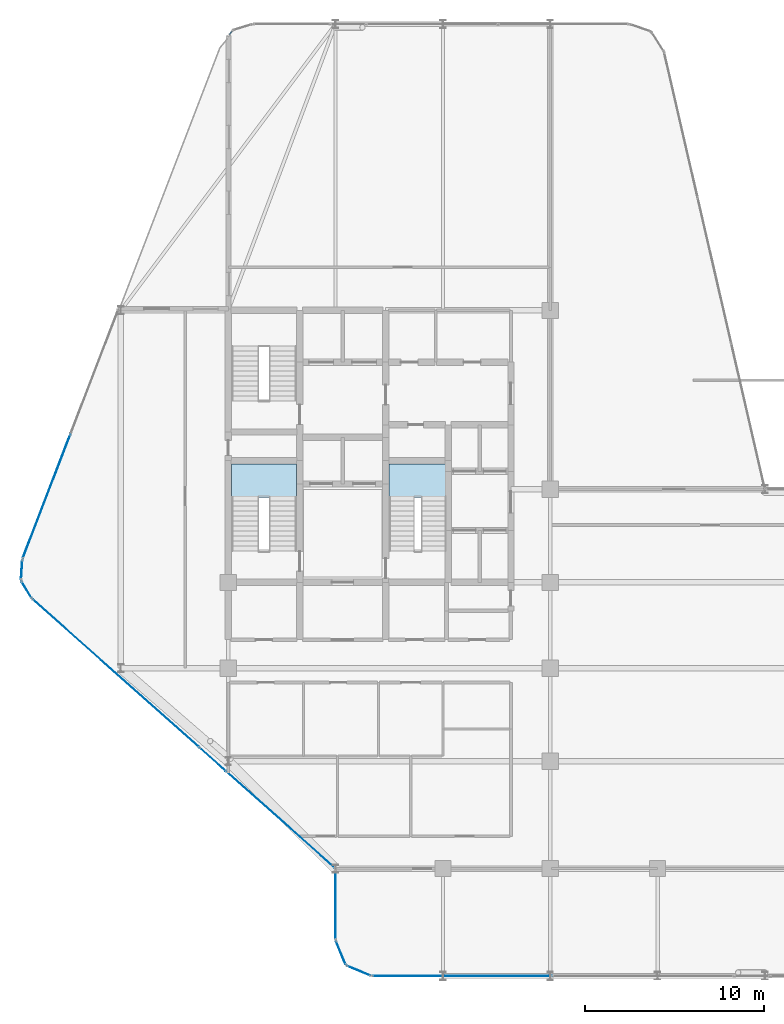
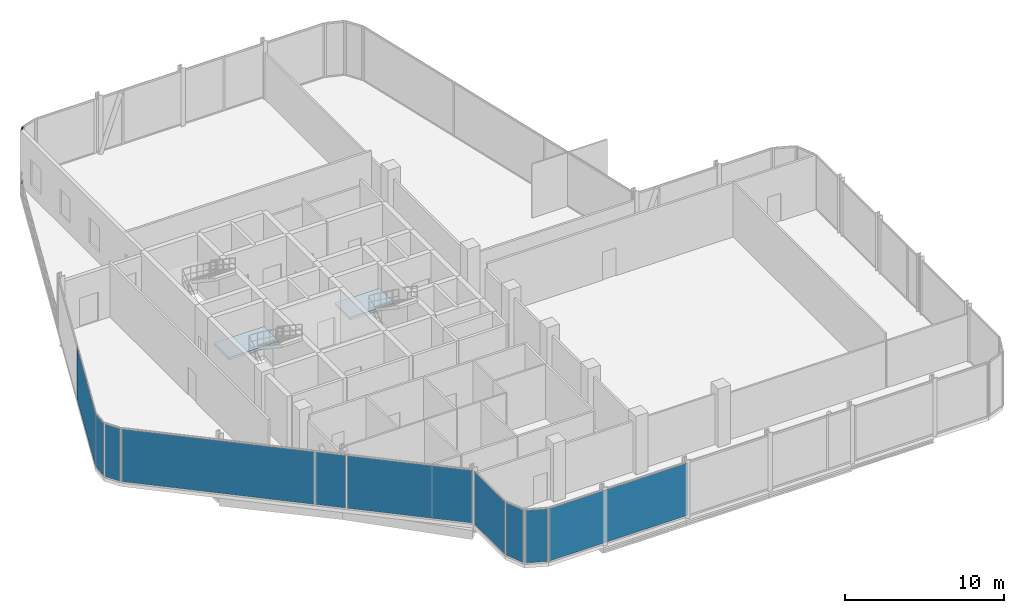
# One storey, part 24 of 31: 10 plates, 2 members, 2 slabs, 13 elements without a shape of their own.
"""IFC4 building model written with IfcOpenShell, lengths in metres."""

from ifc_helpers import new_model, si_unit, direction, frame, origin, origin_2d, place, context, subcontext, project, spatial, polyline, rectangle, hollow_rectangle, outline, extrude, material, layer, layer_set, material_profile, profile_set, type_object, element, aggregate, save


model = new_model("IFC4")

# Units and contexts
model_context = context("Model", 3, precision=1e-05, world=origin(), true_north=direction((0.0, 1.0)))
body_context = subcontext(model_context, "Body", "Model", "MODEL_VIEW")
ifc_project = project(units=[si_unit("LENGTHUNIT", "METRE"), si_unit("AREAUNIT", "SQUARE_METRE"), si_unit("VOLUMEUNIT", "CUBIC_METRE"), si_unit("PLANEANGLEUNIT", "RADIAN"), si_unit("MASSUNIT", "GRAM", prefix="KILO")], contexts=[model_context])

# Site, building, storey
site_placement = place(None, origin())
site = spatial("IfcSite", under=ifc_project, at=site_placement, CompositionType="ELEMENT")
building_placement = place(site_placement, origin())
building = spatial("IfcBuilding", under=site, at=building_placement, Name="Keshet Zoharim Tower", CompositionType="ELEMENT")
storey_placement = place(building_placement, frame((0.0, 0.0, 183.89990234375)))
storey = spatial("IfcBuildingStorey", under=building, at=storey_placement, Name="L45", CompositionType="ELEMENT", Elevation=183.89990234375)

# Curtain wall, members
ifc_material_1 = material(Name="Aluminium 6063-T6", Category="aluminium")
ifc_layer_1 = layer(ifc_material_1, 0.139892578125)
ifc_layer_set_1 = layer_set([ifc_layer_1], Name="Aluminium 6063-T6")
curtain_wall_type = type_object("IfcCurtainWallType", Name="CW-SYS-05", PredefinedType="NOTDEFINED", material=ifc_layer_set_1)
curtain_wall_1_placement = place(storey_placement, origin())
curtain_wall_1 = element("IfcCurtainWall", 1, at=curtain_wall_1_placement, inside=storey, type_object=curtain_wall_type, Name="L45 Unitised Curtain Wall 19", PredefinedType="NOTDEFINED")
ifc_material_profile = material_profile(ifc_material_1, hollow_rectangle(XDim=0.074951171875, YDim=0.1201171875, WallThickness=0.00390625, at=origin_2d()), Name="TRN-75x120")
ifc_profile_set = profile_set([ifc_material_profile], Name="Aluminium 6063-T6")
member_type = type_object("IfcMemberType", Name="CWT-T12", PredefinedType="USERDEFINED", material=ifc_profile_set)
member_1_placement = place(storey_placement, frame((15.062255859375, 53.311767578125, 0.03515625), z_axis=(0.601203878616, 0.799095674082, 0.0), x_axis=(-0.799095674082, 0.601203878616, 0.0)))
member_1 = element("IfcMember", 2, at=member_1_placement, type_object=member_type, Name="CW-05 transom 1.1", ObjectType="TRANSOM", PredefinedType="USERDEFINED", context=body_context, shape_type="SweptSolid", body=[
    extrude(hollow_rectangle(XDim=0.074951171875, YDim=0.1201171875, WallThickness=0.00390625, at=origin_2d()), origin(), (0.0, 0.0, 1.0), 0.22705078125),
])
member_2_placement = place(storey_placement, frame((15.062255859375, 53.311767578125, 4.155029296875), z_axis=(0.601203878616, 0.799095674082, 0.0), x_axis=(-0.799095674082, 0.601203878616, 0.0)))
member_2 = element("IfcMember", 3, at=member_2_placement, type_object=member_type, Name="CW-05 transom 1.2", ObjectType="TRANSOM", PredefinedType="USERDEFINED", context=body_context, shape_type="SweptSolid", body=[
    extrude(hollow_rectangle(XDim=0.074951171875, YDim=0.1201171875, WallThickness=0.00390625, at=origin_2d()), origin(), (0.0, 0.0, 1.0), 0.22705078125),
])
aggregate(curtain_wall_1, [member_1, member_2])

# Curtain wall, plate
curtain_wall_2_placement = place(storey_placement, origin())
curtain_wall_2 = element("IfcCurtainWall", 4, at=curtain_wall_2_placement, inside=storey, type_object=curtain_wall_type, Name="L45 Unitised Curtain Wall 11 Part 3", PredefinedType="NOTDEFINED")
ifc_material_2 = material(Name="Insulated Low-E Clear Glass", Category="glass")
ifc_layer_2 = layer(ifc_material_2, 0.031982421875)
ifc_layer_set_2 = layer_set([ifc_layer_2], Name="Insulated Low-E Clear Glass")
plate_type_1 = type_object("IfcPlateType", Name="CWP-02", PredefinedType="CURTAIN_PANEL", material=ifc_layer_set_2)
plate_1_placement = place(storey_placement, frame((28.079345703125, 0.699951171875, 0.0703125), z_axis=(0.0, 0.0, 1.0), x_axis=(-1.0, 0.0, 0.0)))
plate_1 = element("IfcPlate", 5, at=plate_1_placement, type_object=plate_type_1, Name="CW-05 panel 2.1", PredefinedType="CURTAIN_PANEL", context=body_context, shape_type="SweptSolid", body=[
    extrude(rectangle(XDim=10.018798828125, YDim=0.031982421875, at=origin_2d()), origin(), (0.0, 0.0, 1.0), 4.050048828125),
])
aggregate(curtain_wall_2, [plate_1])

curtain_wall_3_placement = place(storey_placement, origin())
curtain_wall_3 = element("IfcCurtainWall", 6, at=curtain_wall_3_placement, inside=storey, type_object=curtain_wall_type, Name="L45 Unitised Curtain Wall 12", PredefinedType="NOTDEFINED")
plate_2_placement = place(storey_placement, frame((22.29296875, 0.992919921875, 0.0703125), z_axis=(0.0, 0.0, 1.0), x_axis=(-0.92380975372, 0.382851849847, 0.0)))
plate_2 = element("IfcPlate", 7, at=plate_2_placement, type_object=plate_type_1, Name="CW-05 panel 1.1", PredefinedType="CURTAIN_PANEL", context=body_context, shape_type="SweptSolid", body=[
    extrude(rectangle(XDim=1.390625, YDim=0.031982421875, at=origin_2d()), origin(), (0.0, 0.0, 1.0), 4.050048828125),
])
aggregate(curtain_wall_3, [plate_2])

curtain_wall_4_placement = place(storey_placement, origin())
curtain_wall_4 = element("IfcCurtainWall", 8, at=curtain_wall_4_placement, inside=storey, type_object=curtain_wall_type, Name="L45 Unitised Curtain Wall 13", PredefinedType="NOTDEFINED")
plate_3_placement = place(storey_placement, frame((21.29296875, 1.992919921875, 0.0703125), z_axis=(0.0, 0.0, 1.0), x_axis=(-0.382851849847, 0.92380975372, 0.0)))
plate_3 = element("IfcPlate", 9, at=plate_3_placement, type_object=plate_type_1, Name="CW-05 panel 1.1", PredefinedType="CURTAIN_PANEL", context=body_context, shape_type="SweptSolid", body=[
    extrude(rectangle(XDim=1.390625, YDim=0.031982421875, at=origin_2d()), origin(), (0.0, 0.0, 1.0), 4.050048828125),
])
aggregate(curtain_wall_4, [plate_3])

curtain_wall_5_placement = place(storey_placement, origin())
curtain_wall_5 = element("IfcCurtainWall", 10, at=curtain_wall_5_placement, inside=storey, type_object=curtain_wall_type, Name="L45 Unitised Curtain Wall 14", PredefinedType="NOTDEFINED")
plate_4_placement = place(storey_placement, frame((21.0, 4.699951171875, 0.0703125), z_axis=(0.0, 0.0, 1.0), x_axis=(0.0, 1.0, 0.0)))
plate_4 = element("IfcPlate", 11, at=plate_4_placement, type_object=plate_type_1, Name="CW-05 panel 1.1", PredefinedType="CURTAIN_PANEL", context=body_context, shape_type="SweptSolid", body=[
    extrude(rectangle(XDim=3.860107421875, YDim=0.031982421875, at=origin_2d()), origin(), (0.0, 0.0, 1.0), 4.050048828125),
])
aggregate(curtain_wall_5, [plate_4])

curtain_wall_6_placement = place(storey_placement, origin())
curtain_wall_6 = element("IfcCurtainWall", 12, at=curtain_wall_6_placement, inside=storey, type_object=curtain_wall_type, Name="L45 Unitised Curtain Wall 15", PredefinedType="NOTDEFINED")
plate_5_placement = place(storey_placement, frame((17.9287109375, 9.429931640625, 0.0703125), z_axis=(0.0, 0.0, 1.0), x_axis=(-0.747409318679, 0.664363838836, 0.0)))
plate_5 = element("IfcPlate", 13, at=plate_5_placement, type_object=plate_type_1, Name="CW-05 panel 1.1", PredefinedType="CURTAIN_PANEL", context=body_context, shape_type="SweptSolid", body=[
    extrude(rectangle(XDim=8.078369140625, YDim=0.031982421875, at=origin_2d()), origin(), (0.0, 0.0, 1.0), 4.050048828125),
])
aggregate(curtain_wall_6, [plate_5])

curtain_wall_7_placement = place(storey_placement, origin())
curtain_wall_7 = element("IfcCurtainWall", 14, at=curtain_wall_7_placement, inside=storey, type_object=curtain_wall_type, Name="L45 Unitised Curtain Wall 15 Part 3", PredefinedType="NOTDEFINED")
plate_6_placement = place(storey_placement, frame((8.72314453125, 17.61279296875, 0.0703125), z_axis=(0.0, 0.0, 1.0), x_axis=(-0.747412856741, 0.664359858494, 0.0)))
plate_6 = element("IfcPlate", 15, at=plate_6_placement, type_object=plate_type_1, Name="CW-05 panel 1.1", PredefinedType="CURTAIN_PANEL", context=body_context, shape_type="SweptSolid", body=[
    extrude(rectangle(XDim=12.4052734375, YDim=0.031982421875, at=origin_2d()), origin(), (0.0, 0.0, 1.0), 4.050048828125),
])
aggregate(curtain_wall_7, [plate_6])

curtain_wall_8_placement = place(storey_placement, origin())
curtain_wall_8 = element("IfcCurtainWall", 16, at=curtain_wall_8_placement, inside=storey, type_object=curtain_wall_type, Name="L45 Unitised Curtain Wall 16", PredefinedType="NOTDEFINED")
plate_7_placement = place(storey_placement, frame((3.7275390625, 22.291015625, 0.0703125), z_axis=(0.0, 0.0, 1.0), x_axis=(-0.515604947933, 0.856826433805, 0.0)))
plate_7 = element("IfcPlate", 17, at=plate_7_placement, type_object=plate_type_1, Name="CW-05 panel 1.1", PredefinedType="CURTAIN_PANEL", context=body_context, shape_type="SweptSolid", body=[
    extrude(rectangle(XDim=1.052734375, YDim=0.031982421875, at=origin_2d()), origin(), (0.0, 0.0, 1.0), 4.050048828125),
])
aggregate(curtain_wall_8, [plate_7])

curtain_wall_9_placement = place(storey_placement, origin())
curtain_wall_9 = element("IfcCurtainWall", 18, at=curtain_wall_9_placement, inside=storey, type_object=curtain_wall_type, Name="L45 Unitised Curtain Wall 17", PredefinedType="NOTDEFINED")
plate_8_placement = place(storey_placement, frame((3.45849609375, 23.3974609375, 0.0703125), z_axis=(0.0, 0.0, 1.0), x_axis=(0.064516859374, 0.997916617186, 0.0)))
plate_8 = element("IfcPlate", 19, at=plate_8_placement, type_object=plate_type_1, Name="CW-05 panel 1.1", PredefinedType="CURTAIN_PANEL", context=body_context, shape_type="SweptSolid", body=[
    extrude(rectangle(XDim=1.053466796875, YDim=0.031982421875, at=origin_2d()), origin(), (0.0, 0.0, 1.0), 4.050048828125),
])
aggregate(curtain_wall_9, [plate_8])

curtain_wall_10_placement = place(storey_placement, origin())
curtain_wall_10 = element("IfcCurtainWall", 20, at=curtain_wall_10_placement, inside=storey, type_object=curtain_wall_type, Name="L45 Unitised Curtain Wall 18", PredefinedType="NOTDEFINED")
plate_9_placement = place(storey_placement, frame((4.848388671875, 27.506103515625, 0.0703125), z_axis=(0.0, 0.0, 1.0), x_axis=(0.359001436819, 0.933337006853, 0.0)))
plate_9 = element("IfcPlate", 21, at=plate_9_placement, type_object=plate_type_1, Name="CW-05 panel 1.1", PredefinedType="CURTAIN_PANEL", context=body_context, shape_type="SweptSolid", body=[
    extrude(rectangle(XDim=7.387939453125, YDim=0.031982421875, at=origin_2d()), origin(), (0.0, 0.0, 1.0), 4.050048828125),
])
aggregate(curtain_wall_10, [plate_9])

curtain_wall_11_placement = place(storey_placement, origin())
curtain_wall_11 = element("IfcCurtainWall", 22, at=curtain_wall_11_placement, inside=storey, type_object=curtain_wall_type, Name="L45 Unitised Curtain Wall 15 Part 2", PredefinedType="NOTDEFINED")
ifc_material_3 = material(Name="Insulated Aluminium Spandrel Panel", Category="aluminium")
ifc_layer_3 = layer(ifc_material_3, 0.031982421875)
ifc_layer_set_3 = layer_set([ifc_layer_3], Name="Insulated Aluminium Spandrel Panel")
plate_type_2 = type_object("IfcPlateType", Name="CWP-05", PredefinedType="CURTAIN_PANEL", material=ifc_layer_set_3)
plate_10_placement = place(storey_placement, frame((14.134521484375, 12.802734375, 0.0703125), z_axis=(0.0, 0.0, 1.0), x_axis=(-0.747387302702, 0.664388605983, 0.0)))
plate_10 = element("IfcPlate", 23, at=plate_10_placement, type_object=plate_type_2, Name="CW-05 spandrel panel 1.1", PredefinedType="CURTAIN_PANEL", context=body_context, shape_type="SweptSolid", body=[
    extrude(rectangle(XDim=1.934814453125, YDim=0.031982421875, at=origin_2d()), origin(), (0.0, 0.0, 1.0), 4.050048828125),
])
aggregate(curtain_wall_11, [plate_10])

# Stair, slab
ifc_material_4 = material(Name="Concrete C50/60", Category="concrete")
stair_type = type_object("IfcStairType", Name="STR-EXIT-135", PredefinedType="HALF_TURN_STAIR", material=ifc_material_4)
stair_1_placement = place(storey_placement, origin())
stair_1 = element("IfcStair", 24, at=stair_1_placement, inside=storey, type_object=stair_type, Name="L45 Enclosed Exit Stair ST-01", PredefinedType="HALF_TURN_STAIR")
ifc_layer_4 = layer(ifc_material_4, 0.199951171875)
ifc_layer_set_4 = layer_set([ifc_layer_4], Name="Concrete C50/60")
slab_type = type_object("IfcSlabType", Name="SLB-LND-200", PredefinedType="LANDING", material=ifc_layer_set_4)
slab_1_placement = place(storey_placement, frame((0.0, 0.0, 2.050048828125)))
slab_1 = element("IfcSlab", 25, at=slab_1_placement, type_object=slab_type, Name="ST-01 landing 1", PredefinedType="LANDING", context=body_context, shape_type="SweptSolid", body=[
    extrude(outline(polyline([(15.179931640625, 27.43994140625), (18.820068359375, 27.43994140625), (18.820068359375, 29.320068359375), (15.179931640625, 29.320068359375), (15.179931640625, 27.43994140625)])), origin(), (0.0, 0.0, 1.0), 0.199951171875),
])
aggregate(stair_1, [slab_1])

stair_2_placement = place(storey_placement, origin())
stair_2 = element("IfcStair", 26, at=stair_2_placement, inside=storey, type_object=stair_type, Name="L45 Enclosed Exit Stair ST-03", PredefinedType="HALF_TURN_STAIR")
slab_2_placement = place(storey_placement, frame((0.0, 0.0, 2.050048828125)))
slab_2 = element("IfcSlab", 27, at=slab_2_placement, type_object=slab_type, Name="ST-03 landing 1", PredefinedType="LANDING", context=body_context, shape_type="SweptSolid", body=[
    extrude(outline(polyline([(23.97998046875, 27.43994140625), (27.219970703125, 27.43994140625), (27.219970703125, 29.320068359375), (23.97998046875, 29.320068359375), (23.97998046875, 27.43994140625)])), origin(), (0.0, 0.0, 1.0), 0.199951171875),
])
aggregate(stair_2, [slab_2])

save(model, "model.ifc")
